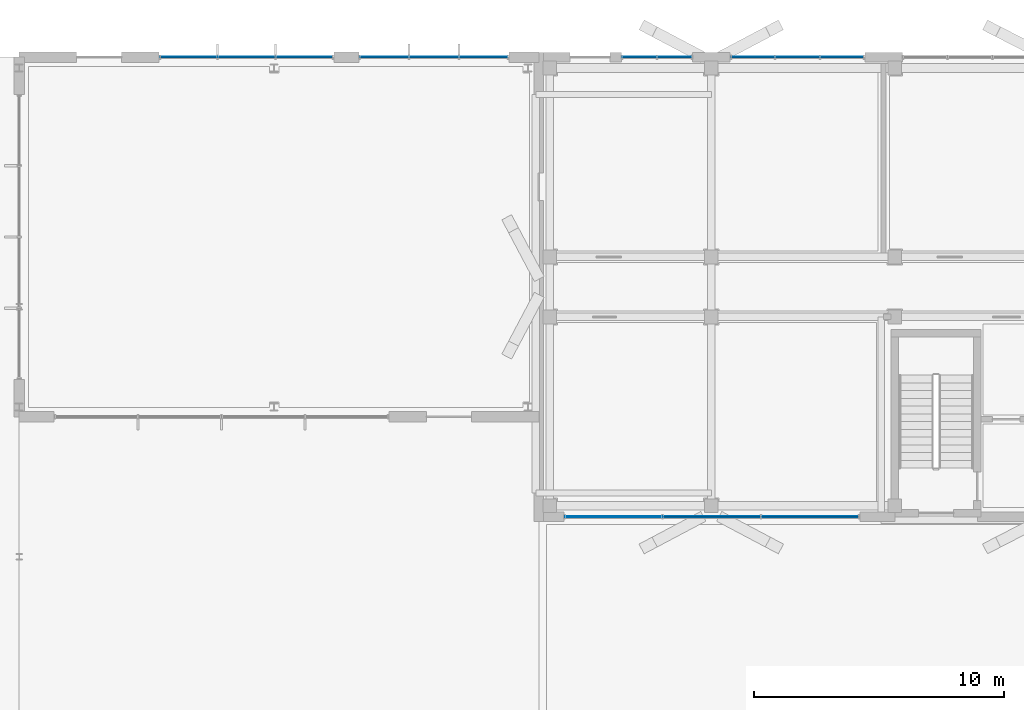
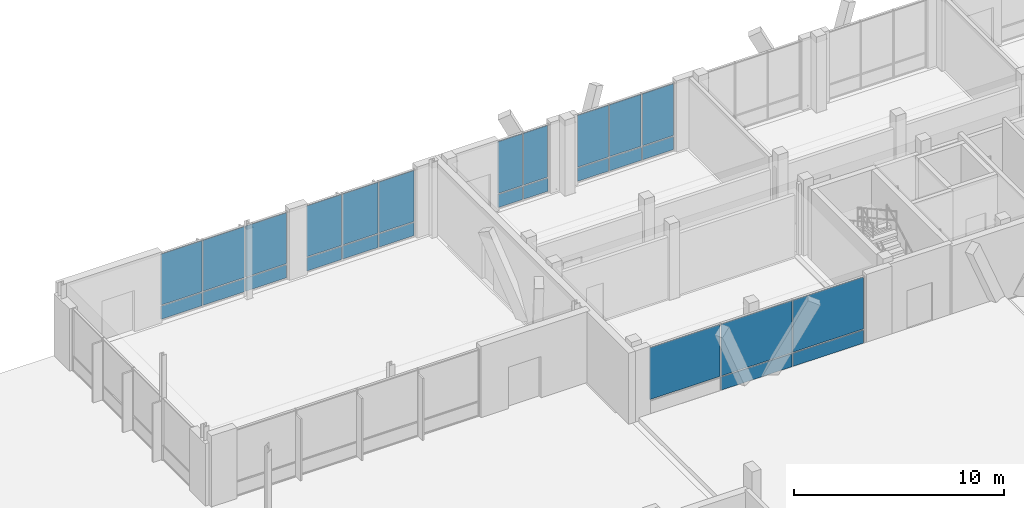
# One storey, part 185 of 233: 27 plates, 5 elements without a shape of their own.
"""IFC4 building model written with IfcOpenShell, lengths in metres."""

from ifc_helpers import new_model, si_unit, direction, frame, origin, origin_2d, place, context, subcontext, project, spatial, rectangle, extrude, material, layer, layer_set, type_object, element, aggregate, save


model = new_model("IFC4")

# Units and contexts
model_context = context("Model", 3, precision=1e-05, world=origin(), true_north=direction((0.0, 1.0)))
body_context = subcontext(model_context, "Body", "Model", "MODEL_VIEW")
ifc_project = project(units=[si_unit("LENGTHUNIT", "METRE"), si_unit("AREAUNIT", "SQUARE_METRE"), si_unit("VOLUMEUNIT", "CUBIC_METRE"), si_unit("PLANEANGLEUNIT", "RADIAN"), si_unit("MASSUNIT", "GRAM", prefix="KILO")], contexts=[model_context])

# Site, building, storey
site_placement = place(None, origin())
site = spatial("IfcSite", under=ifc_project, at=site_placement, CompositionType="ELEMENT")
building_placement = place(site_placement, origin())
building = spatial("IfcBuilding", under=site, at=building_placement, Name="Zavelmont Quarter", CompositionType="ELEMENT")
storey_placement = place(building_placement, origin())
storey = spatial("IfcBuildingStorey", under=building, at=storey_placement, Name="L00", CompositionType="ELEMENT", Elevation=0.0)

# Curtain wall, plates
ifc_material_1 = material(Name="Thermally broken aluminium and double low-E safety glazing", Category="aluminium")
curtain_wall_type_1 = type_object("IfcCurtainWallType", Name="CW-285X395", PredefinedType="NOTDEFINED", material=ifc_material_1)
curtain_wall_1_placement = place(storey_placement, origin())
curtain_wall_1 = element("IfcCurtainWall", 1, at=curtain_wall_1_placement, inside=storey, type_object=curtain_wall_type_1, Name="L00 unitised curtain wall CW-285X395", PredefinedType="NOTDEFINED")
ifc_material_2 = material(Name="Insulated anodised-aluminium spandrel panel", Category="aluminium")
ifc_layer_1 = layer(ifc_material_2, 0.0400390625)
ifc_layer_set_1 = layer_set([ifc_layer_1], Name="Insulated anodised-aluminium spandrel panel")
plate_type_1 = type_object("IfcPlateType", Name="CWP-SPD-1335X760", PredefinedType="CURTAIN_PANEL", material=ifc_layer_set_1)
plate_1_placement = place(storey_placement, frame((116.827392578125, 116.0, 0.06005859375), z_axis=(0.0, 0.0, 1.0), x_axis=(1.0, 0.0, 0.0)))
plate_1 = element("IfcPlate", 2, at=plate_1_placement, type_object=plate_type_1, Name="CW-285X395 panel 1.1", PredefinedType="CURTAIN_PANEL", context=body_context, shape_type="SweptSolid", body=[
    extrude(rectangle(XDim=1.3349609375, YDim=0.0400390625, at=origin_2d()), origin(), (0.0, 0.0, 1.0), 0.760009765625),
])
plate_2_placement = place(storey_placement, frame((118.222412109375, 116.0, 0.06005859375), z_axis=(0.0, 0.0, 1.0), x_axis=(1.0, 0.0, 0.0)))
plate_2 = element("IfcPlate", 3, at=plate_2_placement, type_object=plate_type_1, Name="CW-285X395 panel 2.1", PredefinedType="CURTAIN_PANEL", context=body_context, shape_type="SweptSolid", body=[
    extrude(rectangle(XDim=1.3349609375, YDim=0.0400390625, at=origin_2d()), origin(), (0.0, 0.0, 1.0), 0.760009765625),
])

curtain_wall_type_2 = type_object("IfcCurtainWallType", Name="CW-540X395", PredefinedType="NOTDEFINED", material=ifc_material_1)
curtain_wall_2_placement = place(storey_placement, origin())
curtain_wall_2 = element("IfcCurtainWall", 4, at=curtain_wall_2_placement, inside=storey, type_object=curtain_wall_type_2, Name="L00 unitised curtain wall CW-540X395", PredefinedType="NOTDEFINED")
ifc_layer_2 = layer(ifc_material_2, 0.0400390625)
ifc_layer_set_2 = layer_set([ifc_layer_2], Name="Insulated anodised-aluminium spandrel panel")
plate_type_2 = type_object("IfcPlateType", Name="CWP-SPD-1710X760", PredefinedType="CURTAIN_PANEL", material=ifc_layer_set_2)
plate_3_placement = place(storey_placement, frame((121.364990234375, 116.0, 0.06005859375), z_axis=(0.0, 0.0, 1.0), x_axis=(1.0, 0.0, 0.0)))
plate_3 = element("IfcPlate", 5, at=plate_3_placement, type_object=plate_type_2, Name="CW-540X395 panel 1.1", PredefinedType="CURTAIN_PANEL", context=body_context, shape_type="SweptSolid", body=[
    extrude(rectangle(XDim=1.7099609375, YDim=0.0400390625, at=origin_2d()), origin(), (0.0, 0.0, 1.0), 0.760009765625),
])
plate_4_placement = place(storey_placement, frame((124.93505859375, 116.0, 0.06005859375), z_axis=(0.0, 0.0, 1.0), x_axis=(1.0, 0.0, 0.0)))
plate_4 = element("IfcPlate", 6, at=plate_4_placement, type_object=plate_type_2, Name="CW-540X395 panel 3.1", PredefinedType="CURTAIN_PANEL", context=body_context, shape_type="SweptSolid", body=[
    extrude(rectangle(XDim=1.7099609375, YDim=0.0400390625, at=origin_2d()), origin(), (0.0, 0.0, 1.0), 0.760009765625),
])
ifc_layer_3 = layer(ifc_material_2, 0.0400390625)
ifc_layer_set_3 = layer_set([ifc_layer_3], Name="Insulated anodised-aluminium spandrel panel")
plate_type_3 = type_object("IfcPlateType", Name="CWP-SPD-1740X760", PredefinedType="CURTAIN_PANEL", material=ifc_layer_set_3)
plate_5_placement = place(storey_placement, frame((123.14990234375, 116.0, 0.06005859375), z_axis=(0.0, 0.0, 1.0), x_axis=(1.0, 0.0, 0.0)))
plate_5 = element("IfcPlate", 7, at=plate_5_placement, type_object=plate_type_3, Name="CW-540X395 panel 2.1", PredefinedType="CURTAIN_PANEL", context=body_context, shape_type="SweptSolid", body=[
    extrude(rectangle(XDim=1.739990234375, YDim=0.0400390625, at=origin_2d()), origin(), (0.0, 0.0, 1.0), 0.760009765625),
])

curtain_wall_type_3 = type_object("IfcCurtainWallType", Name="CW-600X390", PredefinedType="NOTDEFINED", material=ifc_material_1)
curtain_wall_3_placement = place(storey_placement, origin())
curtain_wall_3 = element("IfcCurtainWall", 8, at=curtain_wall_3_placement, inside=storey, type_object=curtain_wall_type_3, Name="L00 unitised curtain wall CW-600X390", PredefinedType="NOTDEFINED")
ifc_layer_4 = layer(ifc_material_2, 0.0400390625)
ifc_layer_set_4 = layer_set([ifc_layer_4], Name="Insulated anodised-aluminium spandrel panel")
plate_type_4 = type_object("IfcPlateType", Name="CWP-SPD-1910X760", PredefinedType="CURTAIN_PANEL", material=ifc_layer_set_4)
plate_6_placement = place(storey_placement, frame((106.614990234375, 116.0, 0.06005859375), z_axis=(0.0, 0.0, 1.0), x_axis=(1.0, 0.0, 0.0)))
plate_6 = element("IfcPlate", 9, at=plate_6_placement, type_object=plate_type_4, Name="CW-600X390 panel 1.1", PredefinedType="CURTAIN_PANEL", context=body_context, shape_type="SweptSolid", body=[
    extrude(rectangle(XDim=1.909912109375, YDim=0.0400390625, at=origin_2d()), origin(), (0.0, 0.0, 1.0), 0.760009765625),
])
plate_7_placement = place(storey_placement, frame((110.5849609375, 116.0, 0.06005859375), z_axis=(0.0, 0.0, 1.0), x_axis=(1.0, 0.0, 0.0)))
plate_7 = element("IfcPlate", 10, at=plate_7_placement, type_object=plate_type_4, Name="CW-600X390 panel 3.1", PredefinedType="CURTAIN_PANEL", context=body_context, shape_type="SweptSolid", body=[
    extrude(rectangle(XDim=1.909912109375, YDim=0.0400390625, at=origin_2d()), origin(), (0.0, 0.0, 1.0), 0.760009765625),
])
ifc_layer_5 = layer(ifc_material_2, 0.0400390625)
ifc_layer_set_5 = layer_set([ifc_layer_5], Name="Insulated anodised-aluminium spandrel panel")
plate_type_5 = type_object("IfcPlateType", Name="CWP-SPD-1940X760", PredefinedType="CURTAIN_PANEL", material=ifc_layer_set_5)
plate_8_placement = place(storey_placement, frame((108.60009765625, 116.0, 0.06005859375), z_axis=(0.0, 0.0, 1.0), x_axis=(1.0, 0.0, 0.0)))
plate_8 = element("IfcPlate", 11, at=plate_8_placement, type_object=plate_type_5, Name="CW-600X390 panel 2.1", PredefinedType="CURTAIN_PANEL", context=body_context, shape_type="SweptSolid", body=[
    extrude(rectangle(XDim=1.93994140625, YDim=0.0400390625, at=origin_2d()), origin(), (0.0, 0.0, 1.0), 0.760009765625),
])

curtain_wall_type_4 = type_object("IfcCurtainWallType", Name="CW-700X390", PredefinedType="NOTDEFINED", material=ifc_material_1)
curtain_wall_4_placement = place(storey_placement, origin())
curtain_wall_4 = element("IfcCurtainWall", 12, at=curtain_wall_4_placement, inside=storey, type_object=curtain_wall_type_4, Name="L00 unitised curtain wall CW-700X390", PredefinedType="NOTDEFINED")
ifc_layer_6 = layer(ifc_material_2, 0.0400390625)
ifc_layer_set_6 = layer_set([ifc_layer_6], Name="Insulated anodised-aluminium spandrel panel")
plate_type_6 = type_object("IfcPlateType", Name="CWP-SPD-2245X760", PredefinedType="CURTAIN_PANEL", material=ifc_layer_set_6)
plate_9_placement = place(storey_placement, frame((98.78173828125, 116.0, 0.06005859375), z_axis=(0.0, 0.0, 1.0), x_axis=(1.0, 0.0, 0.0)))
plate_9 = element("IfcPlate", 13, at=plate_9_placement, type_object=plate_type_6, Name="CW-700X390 panel 1.1", PredefinedType="CURTAIN_PANEL", context=body_context, shape_type="SweptSolid", body=[
    extrude(rectangle(XDim=2.243408203125, YDim=0.0400390625, at=origin_2d()), origin(), (0.0, 0.0, 1.0), 0.760009765625),
])
plate_10_placement = place(storey_placement, frame((103.418212890625, 116.0, 0.06005859375), z_axis=(0.0, 0.0, 1.0), x_axis=(1.0, 0.0, 0.0)))
plate_10 = element("IfcPlate", 14, at=plate_10_placement, type_object=plate_type_6, Name="CW-700X390 panel 3.1", PredefinedType="CURTAIN_PANEL", context=body_context, shape_type="SweptSolid", body=[
    extrude(rectangle(XDim=2.243408203125, YDim=0.0400390625, at=origin_2d()), origin(), (0.0, 0.0, 1.0), 0.760009765625),
])
ifc_layer_7 = layer(ifc_material_2, 0.0400390625)
ifc_layer_set_7 = layer_set([ifc_layer_7], Name="Insulated anodised-aluminium spandrel panel")
plate_type_7 = type_object("IfcPlateType", Name="CWP-SPD-2275X760", PredefinedType="CURTAIN_PANEL", material=ifc_layer_set_7)
plate_11_placement = place(storey_placement, frame((101.10009765625, 116.0, 0.06005859375), z_axis=(0.0, 0.0, 1.0), x_axis=(1.0, 0.0, 0.0)))
plate_11 = element("IfcPlate", 15, at=plate_11_placement, type_object=plate_type_7, Name="CW-700X390 panel 2.1", PredefinedType="CURTAIN_PANEL", context=body_context, shape_type="SweptSolid", body=[
    extrude(rectangle(XDim=2.2734375, YDim=0.0400390625, at=origin_2d()), origin(), (0.0, 0.0, 1.0), 0.760009765625),
])

curtain_wall_type_5 = type_object("IfcCurtainWallType", Name="CW-1185X395", PredefinedType="NOTDEFINED", material=ifc_material_1)
curtain_wall_5_placement = place(storey_placement, origin())
curtain_wall_5 = element("IfcCurtainWall", 16, at=curtain_wall_5_placement, inside=storey, type_object=curtain_wall_type_5, Name="L00 unitised curtain wall CW-1185X395", PredefinedType="NOTDEFINED")
ifc_layer_8 = layer(ifc_material_2, 0.0400390625)
ifc_layer_set_8 = layer_set([ifc_layer_8], Name="Insulated anodised-aluminium spandrel panel")
plate_type_8 = type_object("IfcPlateType", Name="CWP-SPD-3860X760", PredefinedType="CURTAIN_PANEL", material=ifc_layer_set_8)
plate_12_placement = place(storey_placement, frame((123.659912109375, 97.60009765625, 0.06005859375), z_axis=(0.0, 0.0, 1.0), x_axis=(1.0, 0.0, 0.0)))
plate_12 = element("IfcPlate", 17, at=plate_12_placement, type_object=plate_type_8, Name="CW-1185X395 panel 3.1", PredefinedType="CURTAIN_PANEL", context=body_context, shape_type="SweptSolid", body=[
    extrude(rectangle(XDim=3.860107421875, YDim=0.0400390625, at=origin_2d()), origin(), (0.0, 0.0, 1.0), 0.760009765625),
])
ifc_layer_9 = layer(ifc_material_2, 0.0400390625)
ifc_layer_set_9 = layer_set([ifc_layer_9], Name="Insulated anodised-aluminium spandrel panel")
plate_type_9 = type_object("IfcPlateType", Name="CWP-SPD-3890X760", PredefinedType="CURTAIN_PANEL", material=ifc_layer_set_9)
plate_13_placement = place(storey_placement, frame((119.72509765625, 97.60009765625, 0.06005859375), z_axis=(0.0, 0.0, 1.0), x_axis=(1.0, 0.0, 0.0)))
plate_13 = element("IfcPlate", 18, at=plate_13_placement, type_object=plate_type_9, Name="CW-1185X395 panel 2.1", PredefinedType="CURTAIN_PANEL", context=body_context, shape_type="SweptSolid", body=[
    extrude(rectangle(XDim=3.889892578125, YDim=0.0400390625, at=origin_2d()), origin(), (0.0, 0.0, 1.0), 0.760009765625),
])

# Plate
ifc_material_3 = material(Name="Double low-E insulated vision glass", Category="glass")
ifc_layer_10 = layer(ifc_material_3, 0.028076171875)
ifc_layer_set_10 = layer_set([ifc_layer_10], Name="Double low-E insulated vision glass")
plate_type_10 = type_object("IfcPlateType", Name="CWP-VIS-1335X3010", PredefinedType="CURTAIN_PANEL", material=ifc_layer_set_10)
plate_14_placement = place(storey_placement, frame((116.827392578125, 116.0, 0.8798828125), z_axis=(0.0, 0.0, 1.0), x_axis=(1.0, 0.0, 0.0)))
plate_14 = element("IfcPlate", 19, at=plate_14_placement, type_object=plate_type_10, Name="CW-285X395 panel 1.2", PredefinedType="CURTAIN_PANEL", context=body_context, shape_type="SweptSolid", body=[
    extrude(rectangle(XDim=1.3349609375, YDim=0.028076171875, at=origin_2d()), origin(), (0.0, 0.0, 1.0), 3.010009765625),
])

plate_15_placement = place(storey_placement, frame((118.222412109375, 116.0, 0.8798828125), z_axis=(0.0, 0.0, 1.0), x_axis=(1.0, 0.0, 0.0)))
plate_15 = element("IfcPlate", 20, at=plate_15_placement, type_object=plate_type_10, Name="CW-285X395 panel 2.2", PredefinedType="CURTAIN_PANEL", context=body_context, shape_type="SweptSolid", body=[
    extrude(rectangle(XDim=1.3349609375, YDim=0.028076171875, at=origin_2d()), origin(), (0.0, 0.0, 1.0), 3.010009765625),
])

aggregate(curtain_wall_1, [plate_1, plate_14, plate_2, plate_15])

ifc_layer_11 = layer(ifc_material_3, 0.028076171875)
ifc_layer_set_11 = layer_set([ifc_layer_11], Name="Double low-E insulated vision glass")
plate_type_11 = type_object("IfcPlateType", Name="CWP-VIS-1710X3010", PredefinedType="CURTAIN_PANEL", material=ifc_layer_set_11)
plate_16_placement = place(storey_placement, frame((121.364990234375, 116.0, 0.8798828125), z_axis=(0.0, 0.0, 1.0), x_axis=(1.0, 0.0, 0.0)))
plate_16 = element("IfcPlate", 21, at=plate_16_placement, type_object=plate_type_11, Name="CW-540X395 panel 1.2", PredefinedType="CURTAIN_PANEL", context=body_context, shape_type="SweptSolid", body=[
    extrude(rectangle(XDim=1.7099609375, YDim=0.028076171875, at=origin_2d()), origin(), (0.0, 0.0, 1.0), 3.010009765625),
])

plate_17_placement = place(storey_placement, frame((124.93505859375, 116.0, 0.8798828125), z_axis=(0.0, 0.0, 1.0), x_axis=(1.0, 0.0, 0.0)))
plate_17 = element("IfcPlate", 22, at=plate_17_placement, type_object=plate_type_11, Name="CW-540X395 panel 3.2", PredefinedType="CURTAIN_PANEL", context=body_context, shape_type="SweptSolid", body=[
    extrude(rectangle(XDim=1.7099609375, YDim=0.028076171875, at=origin_2d()), origin(), (0.0, 0.0, 1.0), 3.010009765625),
])

ifc_layer_12 = layer(ifc_material_3, 0.028076171875)
ifc_layer_set_12 = layer_set([ifc_layer_12], Name="Double low-E insulated vision glass")
plate_type_12 = type_object("IfcPlateType", Name="CWP-VIS-1740X3010", PredefinedType="CURTAIN_PANEL", material=ifc_layer_set_12)
plate_18_placement = place(storey_placement, frame((123.14990234375, 116.0, 0.8798828125), z_axis=(0.0, 0.0, 1.0), x_axis=(1.0, 0.0, 0.0)))
plate_18 = element("IfcPlate", 23, at=plate_18_placement, type_object=plate_type_12, Name="CW-540X395 panel 2.2", PredefinedType="CURTAIN_PANEL", context=body_context, shape_type="SweptSolid", body=[
    extrude(rectangle(XDim=1.739990234375, YDim=0.028076171875, at=origin_2d()), origin(), (0.0, 0.0, 1.0), 3.010009765625),
])

aggregate(curtain_wall_2, [plate_3, plate_16, plate_5, plate_18, plate_4, plate_17])

ifc_layer_13 = layer(ifc_material_3, 0.028076171875)
ifc_layer_set_13 = layer_set([ifc_layer_13], Name="Double low-E insulated vision glass")
plate_type_13 = type_object("IfcPlateType", Name="CWP-VIS-1910X2960", PredefinedType="CURTAIN_PANEL", material=ifc_layer_set_13)
plate_19_placement = place(storey_placement, frame((106.614990234375, 116.0, 0.880126953125), z_axis=(0.0, 0.0, 1.0), x_axis=(1.0, 0.0, 0.0)))
plate_19 = element("IfcPlate", 24, at=plate_19_placement, type_object=plate_type_13, Name="CW-600X390 panel 1.2", PredefinedType="CURTAIN_PANEL", context=body_context, shape_type="SweptSolid", body=[
    extrude(rectangle(XDim=1.909912109375, YDim=0.028076171875, at=origin_2d()), origin(), (0.0, 0.0, 1.0), 2.9599609375),
])

plate_20_placement = place(storey_placement, frame((110.5849609375, 116.0, 0.880126953125), z_axis=(0.0, 0.0, 1.0), x_axis=(1.0, 0.0, 0.0)))
plate_20 = element("IfcPlate", 25, at=plate_20_placement, type_object=plate_type_13, Name="CW-600X390 panel 3.2", PredefinedType="CURTAIN_PANEL", context=body_context, shape_type="SweptSolid", body=[
    extrude(rectangle(XDim=1.909912109375, YDim=0.028076171875, at=origin_2d()), origin(), (0.0, 0.0, 1.0), 2.9599609375),
])

ifc_layer_14 = layer(ifc_material_3, 0.028076171875)
ifc_layer_set_14 = layer_set([ifc_layer_14], Name="Double low-E insulated vision glass")
plate_type_14 = type_object("IfcPlateType", Name="CWP-VIS-1940X2960", PredefinedType="CURTAIN_PANEL", material=ifc_layer_set_14)
plate_21_placement = place(storey_placement, frame((108.60009765625, 116.0, 0.880126953125), z_axis=(0.0, 0.0, 1.0), x_axis=(1.0, 0.0, 0.0)))
plate_21 = element("IfcPlate", 26, at=plate_21_placement, type_object=plate_type_14, Name="CW-600X390 panel 2.2", PredefinedType="CURTAIN_PANEL", context=body_context, shape_type="SweptSolid", body=[
    extrude(rectangle(XDim=1.93994140625, YDim=0.028076171875, at=origin_2d()), origin(), (0.0, 0.0, 1.0), 2.9599609375),
])

aggregate(curtain_wall_3, [plate_6, plate_19, plate_8, plate_21, plate_7, plate_20])

ifc_layer_15 = layer(ifc_material_3, 0.028076171875)
ifc_layer_set_15 = layer_set([ifc_layer_15], Name="Double low-E insulated vision glass")
plate_type_15 = type_object("IfcPlateType", Name="CWP-VIS-2245X2960", PredefinedType="CURTAIN_PANEL", material=ifc_layer_set_15)
plate_22_placement = place(storey_placement, frame((98.78173828125, 116.0, 0.880126953125), z_axis=(0.0, 0.0, 1.0), x_axis=(1.0, 0.0, 0.0)))
plate_22 = element("IfcPlate", 27, at=plate_22_placement, type_object=plate_type_15, Name="CW-700X390 panel 1.2", PredefinedType="CURTAIN_PANEL", context=body_context, shape_type="SweptSolid", body=[
    extrude(rectangle(XDim=2.243408203125, YDim=0.028076171875, at=origin_2d()), origin(), (0.0, 0.0, 1.0), 2.9599609375),
])

plate_23_placement = place(storey_placement, frame((103.418212890625, 116.0, 0.880126953125), z_axis=(0.0, 0.0, 1.0), x_axis=(1.0, 0.0, 0.0)))
plate_23 = element("IfcPlate", 28, at=plate_23_placement, type_object=plate_type_15, Name="CW-700X390 panel 3.2", PredefinedType="CURTAIN_PANEL", context=body_context, shape_type="SweptSolid", body=[
    extrude(rectangle(XDim=2.243408203125, YDim=0.028076171875, at=origin_2d()), origin(), (0.0, 0.0, 1.0), 2.9599609375),
])

ifc_layer_16 = layer(ifc_material_3, 0.028076171875)
ifc_layer_set_16 = layer_set([ifc_layer_16], Name="Double low-E insulated vision glass")
plate_type_16 = type_object("IfcPlateType", Name="CWP-VIS-2275X2960", PredefinedType="CURTAIN_PANEL", material=ifc_layer_set_16)
plate_24_placement = place(storey_placement, frame((101.10009765625, 116.0, 0.880126953125), z_axis=(0.0, 0.0, 1.0), x_axis=(1.0, 0.0, 0.0)))
plate_24 = element("IfcPlate", 29, at=plate_24_placement, type_object=plate_type_16, Name="CW-700X390 panel 2.2", PredefinedType="CURTAIN_PANEL", context=body_context, shape_type="SweptSolid", body=[
    extrude(rectangle(XDim=2.2734375, YDim=0.028076171875, at=origin_2d()), origin(), (0.0, 0.0, 1.0), 2.9599609375),
])

aggregate(curtain_wall_4, [plate_9, plate_22, plate_11, plate_24, plate_10, plate_23])

ifc_layer_17 = layer(ifc_material_3, 0.028076171875)
ifc_layer_set_17 = layer_set([ifc_layer_17], Name="Double low-E insulated vision glass")
plate_type_17 = type_object("IfcPlateType", Name="CWP-VIS-3860X3010", PredefinedType="CURTAIN_PANEL", material=ifc_layer_set_17)
plate_25_placement = place(storey_placement, frame((115.7900390625, 97.60009765625, 0.8798828125), z_axis=(0.0, 0.0, 1.0), x_axis=(1.0, 0.0, 0.0)))
plate_25 = element("IfcPlate", 30, at=plate_25_placement, type_object=plate_type_17, Name="CW-1185X395 panel 1.2", PredefinedType="CURTAIN_PANEL", context=body_context, shape_type="SweptSolid", body=[
    extrude(rectangle(XDim=3.860107421875, YDim=0.028076171875, at=origin_2d()), origin(), (0.0, 0.0, 1.0), 3.010009765625),
])

plate_26_placement = place(storey_placement, frame((123.659912109375, 97.60009765625, 0.8798828125), z_axis=(0.0, 0.0, 1.0), x_axis=(1.0, 0.0, 0.0)))
plate_26 = element("IfcPlate", 31, at=plate_26_placement, type_object=plate_type_17, Name="CW-1185X395 panel 3.2", PredefinedType="CURTAIN_PANEL", context=body_context, shape_type="SweptSolid", body=[
    extrude(rectangle(XDim=3.860107421875, YDim=0.028076171875, at=origin_2d()), origin(), (0.0, 0.0, 1.0), 3.010009765625),
])

ifc_layer_18 = layer(ifc_material_3, 0.028076171875)
ifc_layer_set_18 = layer_set([ifc_layer_18], Name="Double low-E insulated vision glass")
plate_type_18 = type_object("IfcPlateType", Name="CWP-VIS-3890X3010", PredefinedType="CURTAIN_PANEL", material=ifc_layer_set_18)
plate_27_placement = place(storey_placement, frame((119.72509765625, 97.60009765625, 0.8798828125), z_axis=(0.0, 0.0, 1.0), x_axis=(1.0, 0.0, 0.0)))
plate_27 = element("IfcPlate", 32, at=plate_27_placement, type_object=plate_type_18, Name="CW-1185X395 panel 2.2", PredefinedType="CURTAIN_PANEL", context=body_context, shape_type="SweptSolid", body=[
    extrude(rectangle(XDim=3.889892578125, YDim=0.028076171875, at=origin_2d()), origin(), (0.0, 0.0, 1.0), 3.010009765625),
])

aggregate(curtain_wall_5, [plate_25, plate_13, plate_27, plate_12, plate_26])

save(model, "model.ifc")
